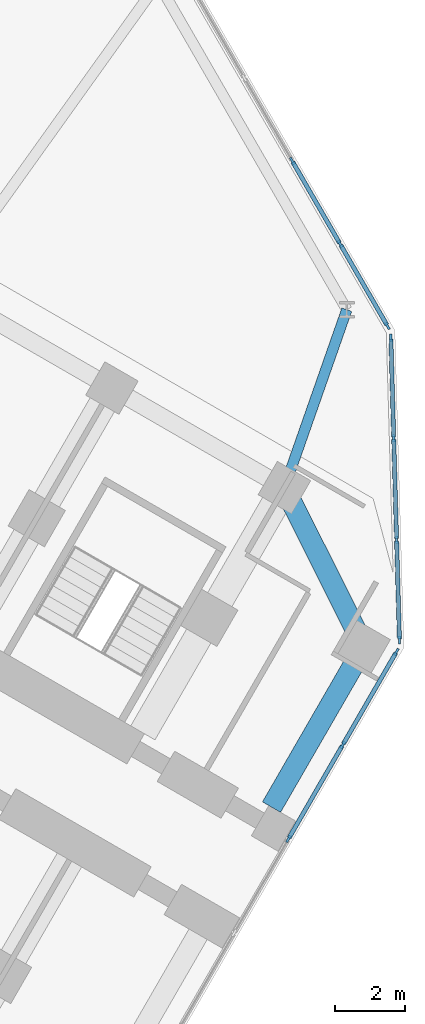
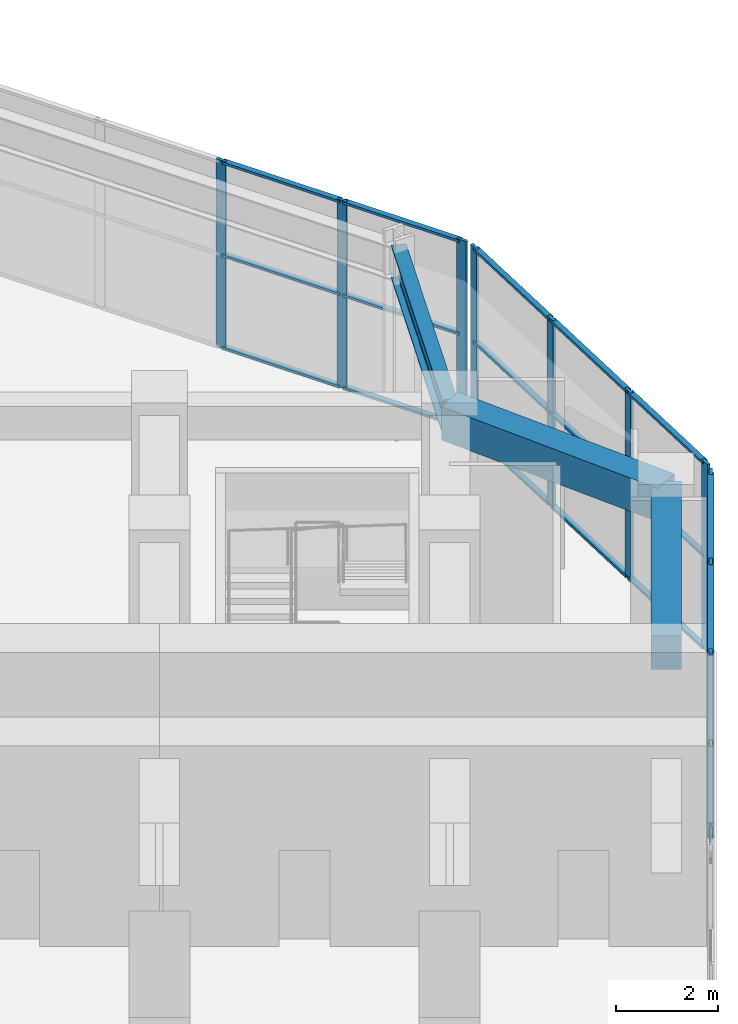
# One storey, part 11 of 22: 31 members, 3 beams, 3 elements without a shape of their own.
"""IFC4 building model written with IfcOpenShell, lengths in metres."""

import ifcopenshell
import ifcopenshell.guid

model = None  # the IFC model being written
_history = None  # IfcOwnerHistory: only IFC2X3 demands one
_inside = {}  # id of a spatial element -> (the spatial element, [elements in it])
_under = {}  # id of a project, library or spatial element -> (it, [spatial elements below it])
_declared = {}  # id of a project -> (the project, [libraries it declares])
_typed = {}  # id of a type object -> (the type object, [elements of that type])
_made_of = {}  # id of a material, layer set ... -> (it, [elements and type objects made of it])


def new_model(schema):
    """Start an empty IFC model of exactly this schema.

    Asked for "IFC4X3", IfcOpenShell would pick the latest addendum, in which some entities
    have other attributes; the version numbers below select the first issue.
    IFC2X3 requires an IfcOwnerHistory on every rooted entity: one is made here for all.
    """
    global model, _history
    if schema == "IFC4X3":
        model = ifcopenshell.file(schema_version=(4, 3, 0, 0))
    else:
        model = ifcopenshell.file(schema=schema)
    _inside.clear()
    _under.clear()
    _declared.clear()
    _typed.clear()
    _made_of.clear()
    _history = None
    if model.schema == "IFC2X3":
        org = make("IfcOrganization", Name="unknown")
        user = make(
            "IfcPersonAndOrganization",
            ThePerson=make("IfcPerson", FamilyName="unknown"),
            TheOrganization=org,
        )
        app = make(
            "IfcApplication",
            ApplicationDeveloper=org,
            Version="unknown",
            ApplicationFullName="unknown",
            ApplicationIdentifier="unknown",
        )
        _history = make(
            "IfcOwnerHistory",
            OwningUser=user,
            OwningApplication=app,
            ChangeAction="ADDED",
            CreationDate=0,
        )
    return model


def make(cls, **values):
    """One entity of the class cls with the attributes given. An attribute that is None is left unset."""
    return model.create_entity(
        cls, **{name: value for name, value in values.items() if value is not None}
    )


def rooted(cls, **values):
    """An entity with a GlobalId (a new one), such as an element, a storey or a relation."""
    return make(cls, GlobalId=ifcopenshell.guid.new(), OwnerHistory=_history, **values)


def si_unit(unit_type, name, prefix=None):
    """IfcSIUnit, for example si_unit("LENGTHUNIT", "METRE", prefix="MILLI")."""
    return make("IfcSIUnit", UnitType=unit_type, Prefix=prefix, Name=name)


def assignment(units):
    """IfcUnitAssignment: the units of a project."""
    return None if units is None else make("IfcUnitAssignment", Units=units)


def point(xyz):
    """IfcCartesianPoint."""
    return None if xyz is None else make("IfcCartesianPoint", Coordinates=xyz)


def direction(xyz):
    """IfcDirection."""
    return None if xyz is None else make("IfcDirection", DirectionRatios=xyz)


def frame(location, z_axis=None, x_axis=None):
    """IfcAxis2Placement3D, a coordinate frame: its origin and axes. An axis left out is left unset."""
    return make(
        "IfcAxis2Placement3D",
        Location=point(location),
        Axis=direction(z_axis),
        RefDirection=direction(x_axis),
    )


def frame_2d(location, x_axis=None):
    """IfcAxis2Placement2D, a coordinate frame in the plane: its origin and x axis."""
    return make(
        "IfcAxis2Placement2D", Location=point(location), RefDirection=direction(x_axis)
    )


def origin():
    """The frame at (0, 0, 0) with its axes left unset."""
    return frame((0.0, 0.0, 0.0))


def origin_2d():
    """The frame at (0, 0) in the plane with its x axis left unset."""
    return frame_2d((0.0, 0.0))


def place(relative_to, where):
    """IfcLocalPlacement: puts the frame where relative to a parent placement (None: the world)."""
    return make(
        "IfcLocalPlacement", PlacementRelTo=relative_to, RelativePlacement=where
    )


def context(
    kind, dimensions, precision=None, world=None, true_north=None, identifier=None
):
    """IfcGeometricRepresentationContext, for example the 3D "Model" context."""
    return make(
        "IfcGeometricRepresentationContext",
        ContextIdentifier=identifier,
        ContextType=kind,
        CoordinateSpaceDimension=dimensions,
        Precision=precision,
        WorldCoordinateSystem=world,
        TrueNorth=true_north,
    )


def subcontext(parent, identifier, kind, view, scale=None):
    """IfcGeometricRepresentationSubContext, for example "Body" below "Model"."""
    return make(
        "IfcGeometricRepresentationSubContext",
        ContextIdentifier=identifier,
        ContextType=kind,
        ParentContext=parent,
        TargetScale=scale,
        TargetView=view,
    )


def project(units=None, contexts=None):
    """IfcProject with its units and contexts."""
    return rooted(
        "IfcProject",
        Name="project",
        RepresentationContexts=contexts,
        UnitsInContext=assignment(units),
    )


def spatial(cls, under=None, at=None, **own):
    """A site, building, storey or space (cls), placed at a placement, below another one or the project."""
    s = rooted(cls, ObjectPlacement=at, **own)
    if under is not None:
        _under.setdefault(under.id(), (under, []))[1].append(s)
    return s


def profile(cls, at=None, kind="AREA", **sizes):
    """A parametric profile (cls). Its sizes go by their IFC names, for example OverallWidth=200.0."""
    return make(cls, ProfileType=kind, Position=at, **sizes)


def rectangle(**sizes):
    """IfcRectangleProfileDef."""
    return profile("IfcRectangleProfileDef", **sizes)


def i_section(**sizes):
    """IfcIShapeProfileDef."""
    return profile("IfcIShapeProfileDef", **sizes)


def extrude(swept, where, along, depth):
    """IfcExtrudedAreaSolid: the profile swept, set in the frame where, extruded along a direction by depth."""
    return make(
        "IfcExtrudedAreaSolid",
        SweptArea=swept,
        Position=where,
        ExtrudedDirection=direction(along),
        Depth=depth,
    )


def shape(context_of_items, identifier, shape_type, items):
    """IfcShapeRepresentation: the items that make up one representation, for example the "Body"."""
    return make(
        "IfcShapeRepresentation",
        ContextOfItems=context_of_items,
        RepresentationIdentifier=identifier,
        RepresentationType=shape_type,
        Items=items,
    )


def material(Name=None, Category=None):
    """IfcMaterial."""
    return make("IfcMaterial", Name=Name, Category=Category)


def material_profile(
    of_material, cross_section, Name=None, Category=None, Priority=None
):
    """IfcMaterialProfile: a cross section and its material."""
    return make(
        "IfcMaterialProfile",
        Name=Name,
        Material=of_material,
        Profile=cross_section,
        Priority=Priority,
        Category=Category,
    )


def profile_set(profiles, Name=None, composite=None):
    """IfcMaterialProfileSet."""
    return make(
        "IfcMaterialProfileSet",
        Name=Name,
        MaterialProfiles=profiles,
        CompositeProfile=composite,
    )


def made_of(thing, what):
    """Note that an element or type object is made of a material, layer set ...; save() writes the relation."""
    if what is not None:
        _made_of.setdefault(what.id(), (what, []))[1].append(thing)
    return thing


def type_object(cls, material=None, **own):
    """A type object (cls), such as IfcWallType, which elements share."""
    return made_of(rooted(cls, **own), material)


def element(
    cls,
    number,
    at=None,
    inside=None,
    cuts=None,
    type_object=None,
    material=None,
    context=None,
    identifier="Body",
    shape_type=None,
    held_by="IfcProductDefinitionShape",
    body=None,
    shapes=None,
    **own,
):
    """One element of the class cls, such as IfcWall. Its Tag is "e" and its number.

    at: its placement. inside: the storey or other place that contains it. cuts: it is an
    opening in that element (IfcRelVoidsElement). A single representation is given by context,
    identifier, shape_type and body (its items); several are given by shapes. held_by: the class
    of the entity that holds the representations. save() writes the other relations.
    """
    e = rooted(cls, Tag="e%d" % number, ObjectPlacement=at, **own)
    if body is not None:
        shapes = [shape(context, identifier, shape_type, body)]
    if shapes is not None:
        e.Representation = make(held_by, Representations=shapes)
    if inside is not None:
        _inside.setdefault(inside.id(), (inside, []))[1].append(e)
    if cuts is not None:
        rooted(
            "IfcRelVoidsElement", RelatingBuildingElement=cuts, RelatedOpeningElement=e
        )
    if type_object is not None:
        _typed.setdefault(type_object.id(), (type_object, []))[1].append(e)
    return made_of(e, material)


def aggregate(whole, parts):
    """IfcRelAggregates: a whole, such as a stair, and the parts it consists of."""
    return rooted("IfcRelAggregates", RelatingObject=whole, RelatedObjects=parts)


def save(model, path):
    """Write the relations noted so far, then the file.

    IfcRelAggregates (storeys below a building ...), IfcRelContainedInSpatialStructure (elements
    in a storey), IfcRelDefinesByType, IfcRelAssociatesMaterial and IfcRelDeclares: one each for
    every whole, place, type object, material and project.
    """
    for whole, parts in _under.values():
        aggregate(whole, parts)
    for where, things in _inside.values():
        rooted(
            "IfcRelContainedInSpatialStructure",
            RelatedElements=things,
            RelatingStructure=where,
        )
    for kind, things in _typed.values():
        rooted("IfcRelDefinesByType", RelatedObjects=things, RelatingType=kind)
    for what, things in _made_of.values():
        rooted("IfcRelAssociatesMaterial", RelatedObjects=things, RelatingMaterial=what)
    for by, libraries in _declared.values():
        rooted("IfcRelDeclares", RelatingContext=by, RelatedDefinitions=libraries)
    model.write(path)


model = new_model("IFC4")

# Units and contexts
model_context = context("Model", 3, precision=1e-05, world=origin(), true_north=direction((0.0, 1.0)))
body_context = subcontext(model_context, "Body", "Model", "MODEL_VIEW")
ifc_project = project(units=[si_unit("LENGTHUNIT", "METRE"), si_unit("AREAUNIT", "SQUARE_METRE"), si_unit("VOLUMEUNIT", "CUBIC_METRE"), si_unit("PLANEANGLEUNIT", "RADIAN"), si_unit("MASSUNIT", "GRAM", prefix="KILO")], contexts=[model_context])

# Site, building, storey
site_placement = place(None, origin())
site = spatial("IfcSite", under=ifc_project, at=site_placement, CompositionType="ELEMENT")
building_placement = place(site_placement, origin())
building = spatial("IfcBuilding", under=site, at=building_placement, Name="Kosmar Iwan School Tower", CompositionType="ELEMENT")
storey_placement = place(building_placement, frame((0.0, 0.0, 10.800048828125)))
storey = spatial("IfcBuildingStorey", under=building, at=storey_placement, Name="L02", CompositionType="ELEMENT", Elevation=10.800048828125)

# Beam
ifc_material_1 = material(Name="Steel S355", Category="steel")
ifc_material_profile_1 = material_profile(ifc_material_1, i_section(OverallWidth=0.300048828125, OverallDepth=0.800048828125, WebThickness=0.017578125, FlangeThickness=0.032958984375, FilletRadius=0.030029296875, at=origin_2d()), Name="HE 800 B")
ifc_profile_set_1 = profile_set([ifc_material_profile_1], Name="Steel S355")
beam_type_1 = type_object("IfcBeamType", Name="Infill edge beam HE 800 B", PredefinedType="BEAM", material=ifc_profile_set_1)
beam_1_placement = place(storey_placement, frame((32.30224609375, -0.749267578125, 4.099853515625), z_axis=(-0.330701081571, -0.943735553345, 0.0), x_axis=(0.943735553345, -0.330701081571, 0.0)))
element("IfcBeam", 1, at=beam_1_placement, inside=storey, type_object=beam_type_1, Name="Infill edge beam AC5", PredefinedType="BEAM", context=body_context, shape_type="SweptSolid", body=[
    extrude(i_section(OverallWidth=0.300048828125, OverallDepth=0.800048828125, WebThickness=0.017578125, FlangeThickness=0.032958984375, FilletRadius=0.030029296875, at=origin_2d()), origin(), (0.0, 0.0, 1.0), 5.39599609375),
])

# Curtain wall, members
ifc_material_2 = material(Name="Dark glass in black aluminium frame", Category="aluminium")
curtain_wall_type_1 = type_object("IfcCurtainWallType", Name="Tower curtain wall dark glass", PredefinedType="USERDEFINED", material=ifc_material_2)
curtain_wall_1_placement = place(storey_placement, origin())
curtain_wall_1 = element("IfcCurtainWall", 2, at=curtain_wall_1_placement, inside=storey, type_object=curtain_wall_type_1, Name="Curtain wall L02-F02", ObjectType="UNITISED CURTAIN WALL", PredefinedType="USERDEFINED")
ifc_material_3 = material(Name="Black anodised aluminium", Category="aluminium")
ifc_material_profile_2 = material_profile(ifc_material_3, rectangle(XDim=0.06494140625, YDim=0.219970703125, at=origin_2d()), Name="MULLION 65x220")
ifc_profile_set_2 = profile_set([ifc_material_profile_2], Name="Black anodised aluminium")
member_type_1 = type_object("IfcMemberType", Name="Podium mullion 65x220", PredefinedType="MULLION", material=ifc_profile_set_2)
member_1_placement = place(storey_placement, frame((30.632568359375, -15.892578125, 0.0), z_axis=(0.0, 0.0, 1.0), x_axis=(-0.866025395669, 0.500000014057, 0.0)))
member_1 = element("IfcMember", 3, at=member_1_placement, type_object=member_type_1, Name="CW1 mullion 4", PredefinedType="MULLION", context=body_context, shape_type="SweptSolid", body=[
    extrude(rectangle(XDim=0.06494140625, YDim=0.219970703125, at=origin_2d()), origin(), (0.0, 0.0, 1.0), 4.5),
])
member_2_placement = place(storey_placement, frame((32.185546875, -13.202880859375, 0.0), z_axis=(0.0, 0.0, 1.0), x_axis=(-0.866025395669, 0.500000014057, 0.0)))
member_2 = element("IfcMember", 4, at=member_2_placement, type_object=member_type_1, Name="CW1 mullion 5", PredefinedType="MULLION", context=body_context, shape_type="SweptSolid", body=[
    extrude(rectangle(XDim=0.06494140625, YDim=0.219970703125, at=origin_2d()), origin(), (0.0, 0.0, 1.0), 4.5),
])
member_3_placement = place(storey_placement, frame((33.72216796875, -10.541259765625, 0.0), z_axis=(0.0, 0.0, 1.0), x_axis=(-0.866025395669, 0.500000014057, 0.0)))
member_3 = element("IfcMember", 5, at=member_3_placement, type_object=member_type_1, Name="CW1 mullion 6", PredefinedType="MULLION", context=body_context, shape_type="SweptSolid", body=[
    extrude(rectangle(XDim=0.06494140625, YDim=0.219970703125, at=origin_2d()), origin(), (0.0, 0.0, 1.0), 4.5),
])

ifc_material_4 = material(Name="Dark glass in black aluminium frame", Category="aluminium")
curtain_wall_type_2 = type_object("IfcCurtainWallType", Name="Podium curtain wall", PredefinedType="USERDEFINED", material=ifc_material_4)
curtain_wall_2_placement = place(storey_placement, origin())
curtain_wall_2 = element("IfcCurtainWall", 6, at=curtain_wall_2_placement, inside=storey, type_object=curtain_wall_type_2, Name="Curtain wall L02-F03", ObjectType="STICK CURTAIN WALL", PredefinedType="USERDEFINED")
member_4_placement = place(storey_placement, frame((33.808349609375, -10.200927734375, 0.0), z_axis=(0.0, 0.0, 1.0), x_axis=(-0.999597032017, -0.028386151255, 0.0)))
member_4 = element("IfcMember", 7, at=member_4_placement, type_object=member_type_1, Name="CW3 mullion 1", PredefinedType="MULLION", context=body_context, shape_type="SweptSolid", body=[
    extrude(rectangle(XDim=0.06494140625, YDim=0.219970703125, at=origin_2d()), origin(), (0.0, 0.0, 1.0), 4.5),
])
member_5_placement = place(storey_placement, frame((33.726806640625, -7.330078125, 0.0), z_axis=(0.0, 0.0, 1.0), x_axis=(-0.999597032017, -0.028386151255, 0.0)))
member_5 = element("IfcMember", 8, at=member_5_placement, type_object=member_type_1, Name="CW3 mullion 2", PredefinedType="MULLION", context=body_context, shape_type="SweptSolid", body=[
    extrude(rectangle(XDim=0.06494140625, YDim=0.219970703125, at=origin_2d()), origin(), (0.0, 0.0, 1.0), 4.5),
])
member_6_placement = place(storey_placement, frame((33.644287109375, -4.4267578125, 0.0), z_axis=(0.0, 0.0, 1.0), x_axis=(-0.999597032017, -0.028386151255, 0.0)))
member_6 = element("IfcMember", 9, at=member_6_placement, type_object=member_type_1, Name="CW3 mullion 3", PredefinedType="MULLION", context=body_context, shape_type="SweptSolid", body=[
    extrude(rectangle(XDim=0.06494140625, YDim=0.219970703125, at=origin_2d()), origin(), (0.0, 0.0, 1.0), 4.5),
])
member_7_placement = place(storey_placement, frame((33.562744140625, -1.555908203125, 0.0), z_axis=(0.0, 0.0, 1.0), x_axis=(-0.999597032017, -0.028386151255, 0.0)))
member_7 = element("IfcMember", 10, at=member_7_placement, type_object=member_type_1, Name="CW3 mullion 4", PredefinedType="MULLION", context=body_context, shape_type="SweptSolid", body=[
    extrude(rectangle(XDim=0.06494140625, YDim=0.219970703125, at=origin_2d()), origin(), (0.0, 0.0, 1.0), 4.5),
])

curtain_wall_3_placement = place(storey_placement, origin())
curtain_wall_3 = element("IfcCurtainWall", 11, at=curtain_wall_3_placement, inside=storey, type_object=curtain_wall_type_2, Name="Curtain wall L02-F04", ObjectType="STICK CURTAIN WALL", PredefinedType="USERDEFINED")
member_8_placement = place(storey_placement, frame((33.46630859375, -1.215576171875, 0.0), z_axis=(0.0, 0.0, 1.0), x_axis=(-0.866025390869, -0.50000002237, 0.0)))
member_8 = element("IfcMember", 12, at=member_8_placement, type_object=member_type_1, Name="CW3 mullion 1", PredefinedType="MULLION", context=body_context, shape_type="SweptSolid", body=[
    extrude(rectangle(XDim=0.06494140625, YDim=0.219970703125, at=origin_2d()), origin(), (0.0, 0.0, 1.0), 4.5),
])
member_9_placement = place(storey_placement, frame((32.112060546875, 1.13037109375, 0.0), z_axis=(0.0, 0.0, 1.0), x_axis=(-0.866025390869, -0.50000002237, 0.0)))
member_9 = element("IfcMember", 13, at=member_9_placement, type_object=member_type_1, Name="CW3 mullion 2", PredefinedType="MULLION", context=body_context, shape_type="SweptSolid", body=[
    extrude(rectangle(XDim=0.06494140625, YDim=0.219970703125, at=origin_2d()), origin(), (0.0, 0.0, 1.0), 4.5),
])
member_10_placement = place(storey_placement, frame((30.741455078125, 3.50439453125, 0.0), z_axis=(0.0, 0.0, 1.0), x_axis=(-0.866025390869, -0.50000002237, 0.0)))
member_10 = element("IfcMember", 14, at=member_10_placement, type_object=member_type_1, Name="CW3 mullion 3", PredefinedType="MULLION", context=body_context, shape_type="SweptSolid", body=[
    extrude(rectangle(XDim=0.06494140625, YDim=0.219970703125, at=origin_2d()), origin(), (0.0, 0.0, 1.0), 4.5),
])

# Beams
ifc_material_5 = material(Name="Concrete C50/60", Category="concrete")
ifc_material_profile_3 = material_profile(ifc_material_5, rectangle(XDim=0.60009765625, YDim=0.800048828125, at=origin_2d()), Name="RC 600x800")
ifc_profile_set_3 = profile_set([ifc_material_profile_3], Name="Concrete C50/60")
beam_type_2 = type_object("IfcBeamType", Name="RC tip beam 600x800", PredefinedType="BEAM", material=ifc_profile_set_3)
beam_2_placement = place(storey_placement, frame((30.517822265625, -5.841552734375, 4.099853515625), z_axis=(0.44809604203, -0.893985423325, 0.0), x_axis=(0.893985423325, 0.44809604203, 0.0)))
element("IfcBeam", 15, at=beam_2_placement, inside=storey, type_object=beam_type_2, Name="Tip beam CL", PredefinedType="BEAM", context=body_context, shape_type="SweptSolid", body=[
    extrude(rectangle(XDim=0.60009765625, YDim=0.800048828125, at=origin_2d()), origin(), (0.0, 0.0, 1.0), 5.08935546875),
])
beam_3_placement = place(storey_placement, frame((32.79833984375, -10.391357421875, 4.099853515625), z_axis=(-0.499973660256, -0.866040610509, 0.0), x_axis=(0.866040610509, -0.499973660256, 0.0)))
element("IfcBeam", 16, at=beam_3_placement, inside=storey, type_object=beam_type_2, Name="Tip beam CL to corridor wall", PredefinedType="BEAM", context=body_context, shape_type="SweptSolid", body=[
    extrude(rectangle(XDim=0.60009765625, YDim=0.800048828125, at=origin_2d()), origin(), (0.0, 0.0, 1.0), 5.300048828125),
])

# Member
ifc_material_6 = material(Name="Black anodised aluminium", Category="aluminium")
ifc_material_profile_4 = material_profile(ifc_material_6, rectangle(XDim=0.1201171875, YDim=0.06005859375, at=origin_2d()), Name="TRANSOM 60x120")
ifc_profile_set_4 = profile_set([ifc_material_profile_4], Name="Black anodised aluminium")
member_type_2 = type_object("IfcMemberType", Name="Transom 60x120", PredefinedType="USERDEFINED", material=ifc_profile_set_4)
member_11_placement = place(storey_placement, frame((30.64892578125, -15.864501953125, 0.030029296875), z_axis=(0.50000738486, 0.866021140091, 0.0), x_axis=(-0.866021140091, 0.50000738486, 0.0)))
member_11 = element("IfcMember", 17, at=member_11_placement, type_object=member_type_2, Name="CW1 transom 4.1", ObjectType="TRANSOM", PredefinedType="USERDEFINED", context=body_context, shape_type="SweptSolid", body=[
    extrude(rectangle(XDim=0.1201171875, YDim=0.06005859375, at=origin_2d()), origin(), (0.0, 0.0, 1.0), 3.041015625),
])

member_12_placement = place(storey_placement, frame((30.64892578125, -15.864501953125, 2.25), z_axis=(0.50000738486, 0.866021140091, 0.0), x_axis=(-0.866021140091, 0.50000738486, 0.0)))
member_12 = element("IfcMember", 18, at=member_12_placement, type_object=member_type_2, Name="CW1 transom 4.2", ObjectType="TRANSOM", PredefinedType="USERDEFINED", context=body_context, shape_type="SweptSolid", body=[
    extrude(rectangle(XDim=0.1201171875, YDim=0.06005859375, at=origin_2d()), origin(), (0.0, 0.0, 1.0), 3.041015625),
])

member_13_placement = place(storey_placement, frame((30.64892578125, -15.864501953125, 4.469970703125), z_axis=(0.50000738486, 0.866021140091, 0.0), x_axis=(-0.866021140091, 0.50000738486, 0.0)))
member_13 = element("IfcMember", 19, at=member_13_placement, type_object=member_type_2, Name="CW1 transom 4.3", ObjectType="TRANSOM", PredefinedType="USERDEFINED", context=body_context, shape_type="SweptSolid", body=[
    extrude(rectangle(XDim=0.1201171875, YDim=0.06005859375, at=origin_2d()), origin(), (0.0, 0.0, 1.0), 3.041015625),
])

member_14_placement = place(storey_placement, frame((32.201904296875, -13.1748046875, 0.030029296875), z_axis=(0.499970659234, 0.866042343021, 0.0), x_axis=(-0.866042343021, 0.499970659234, 0.0)))
member_14 = element("IfcMember", 20, at=member_14_placement, type_object=member_type_2, Name="CW1 transom 5.1", ObjectType="TRANSOM", PredefinedType="USERDEFINED", context=body_context, shape_type="SweptSolid", body=[
    extrude(rectangle(XDim=0.1201171875, YDim=0.06005859375, at=origin_2d()), origin(), (0.0, 0.0, 1.0), 3.008544921875),
])

member_15_placement = place(storey_placement, frame((32.201904296875, -13.1748046875, 2.25), z_axis=(0.499970659234, 0.866042343021, 0.0), x_axis=(-0.866042343021, 0.499970659234, 0.0)))
member_15 = element("IfcMember", 21, at=member_15_placement, type_object=member_type_2, Name="CW1 transom 5.2", ObjectType="TRANSOM", PredefinedType="USERDEFINED", context=body_context, shape_type="SweptSolid", body=[
    extrude(rectangle(XDim=0.1201171875, YDim=0.06005859375, at=origin_2d()), origin(), (0.0, 0.0, 1.0), 3.008544921875),
])

member_16_placement = place(storey_placement, frame((32.201904296875, -13.1748046875, 4.469970703125), z_axis=(0.499970659234, 0.866042343021, 0.0), x_axis=(-0.866042343021, 0.499970659234, 0.0)))
member_16 = element("IfcMember", 22, at=member_16_placement, type_object=member_type_2, Name="CW1 transom 5.3", ObjectType="TRANSOM", PredefinedType="USERDEFINED", context=body_context, shape_type="SweptSolid", body=[
    extrude(rectangle(XDim=0.1201171875, YDim=0.06005859375, at=origin_2d()), origin(), (0.0, 0.0, 1.0), 3.008544921875),
])

aggregate(curtain_wall_1, [member_1, member_2, member_3, member_11, member_12, member_13, member_14, member_15, member_16])

member_17_placement = place(storey_placement, frame((33.807373046875, -10.16845703125, 0.030029296875), z_axis=(-0.028353687706, 0.999597953376, 0.0), x_axis=(-0.999597953376, -0.028353687706, 0.0)))
member_17 = element("IfcMember", 23, at=member_17_placement, type_object=member_type_2, Name="CW3 transom 1.1", ObjectType="TRANSOM", PredefinedType="USERDEFINED", context=body_context, shape_type="SweptSolid", body=[
    extrude(rectangle(XDim=0.1201171875, YDim=0.06005859375, at=origin_2d()), origin(), (0.0, 0.0, 1.0), 2.80712890625),
])

member_18_placement = place(storey_placement, frame((33.807373046875, -10.16845703125, 2.25), z_axis=(-0.028353687706, 0.999597953376, 0.0), x_axis=(-0.999597953376, -0.028353687706, 0.0)))
member_18 = element("IfcMember", 24, at=member_18_placement, type_object=member_type_2, Name="CW3 transom 1.2", ObjectType="TRANSOM", PredefinedType="USERDEFINED", context=body_context, shape_type="SweptSolid", body=[
    extrude(rectangle(XDim=0.1201171875, YDim=0.06005859375, at=origin_2d()), origin(), (0.0, 0.0, 1.0), 2.80712890625),
])

member_19_placement = place(storey_placement, frame((33.807373046875, -10.16845703125, 4.469970703125), z_axis=(-0.028353687706, 0.999597953376, 0.0), x_axis=(-0.999597953376, -0.028353687706, 0.0)))
member_19 = element("IfcMember", 25, at=member_19_placement, type_object=member_type_2, Name="CW3 transom 1.3", ObjectType="TRANSOM", PredefinedType="USERDEFINED", context=body_context, shape_type="SweptSolid", body=[
    extrude(rectangle(XDim=0.1201171875, YDim=0.06005859375, at=origin_2d()), origin(), (0.0, 0.0, 1.0), 2.80712890625),
])

member_20_placement = place(storey_placement, frame((33.725830078125, -7.297607421875, 0.030029296875), z_axis=(-0.028373227391, 0.99959739894, 0.0), x_axis=(-0.99959739894, -0.028373227391, 0.0)))
member_20 = element("IfcMember", 26, at=member_20_placement, type_object=member_type_2, Name="CW3 transom 2.1", ObjectType="TRANSOM", PredefinedType="USERDEFINED", context=body_context, shape_type="SweptSolid", body=[
    extrude(rectangle(XDim=0.1201171875, YDim=0.06005859375, at=origin_2d()), origin(), (0.0, 0.0, 1.0), 2.839599609375),
])

member_21_placement = place(storey_placement, frame((33.725830078125, -7.297607421875, 2.25), z_axis=(-0.028373227391, 0.99959739894, 0.0), x_axis=(-0.99959739894, -0.028373227391, 0.0)))
member_21 = element("IfcMember", 27, at=member_21_placement, type_object=member_type_2, Name="CW3 transom 2.2", ObjectType="TRANSOM", PredefinedType="USERDEFINED", context=body_context, shape_type="SweptSolid", body=[
    extrude(rectangle(XDim=0.1201171875, YDim=0.06005859375, at=origin_2d()), origin(), (0.0, 0.0, 1.0), 2.839599609375),
])

member_22_placement = place(storey_placement, frame((33.725830078125, -7.297607421875, 4.469970703125), z_axis=(-0.028373227391, 0.99959739894, 0.0), x_axis=(-0.99959739894, -0.028373227391, 0.0)))
member_22 = element("IfcMember", 28, at=member_22_placement, type_object=member_type_2, Name="CW3 transom 2.3", ObjectType="TRANSOM", PredefinedType="USERDEFINED", context=body_context, shape_type="SweptSolid", body=[
    extrude(rectangle(XDim=0.1201171875, YDim=0.06005859375, at=origin_2d()), origin(), (0.0, 0.0, 1.0), 2.839599609375),
])

member_23_placement = place(storey_placement, frame((33.6435546875, -4.394287109375, 0.030029296875), z_axis=(-0.028443064779, 0.999595414188, 0.0), x_axis=(-0.999595414188, -0.028443064779, 0.0)))
member_23 = element("IfcMember", 29, at=member_23_placement, type_object=member_type_2, Name="CW3 transom 3.1", ObjectType="TRANSOM", PredefinedType="USERDEFINED", context=body_context, shape_type="SweptSolid", body=[
    extrude(rectangle(XDim=0.1201171875, YDim=0.06005859375, at=origin_2d()), origin(), (0.0, 0.0, 1.0), 2.806884765625),
])

member_24_placement = place(storey_placement, frame((33.6435546875, -4.394287109375, 2.25), z_axis=(-0.028443064779, 0.999595414188, 0.0), x_axis=(-0.999595414188, -0.028443064779, 0.0)))
member_24 = element("IfcMember", 30, at=member_24_placement, type_object=member_type_2, Name="CW3 transom 3.2", ObjectType="TRANSOM", PredefinedType="USERDEFINED", context=body_context, shape_type="SweptSolid", body=[
    extrude(rectangle(XDim=0.1201171875, YDim=0.06005859375, at=origin_2d()), origin(), (0.0, 0.0, 1.0), 2.806884765625),
])

member_25_placement = place(storey_placement, frame((33.6435546875, -4.394287109375, 4.469970703125), z_axis=(-0.028443064779, 0.999595414188, 0.0), x_axis=(-0.999595414188, -0.028443064779, 0.0)))
member_25 = element("IfcMember", 31, at=member_25_placement, type_object=member_type_2, Name="CW3 transom 3.3", ObjectType="TRANSOM", PredefinedType="USERDEFINED", context=body_context, shape_type="SweptSolid", body=[
    extrude(rectangle(XDim=0.1201171875, YDim=0.06005859375, at=origin_2d()), origin(), (0.0, 0.0, 1.0), 2.806884765625),
])

aggregate(curtain_wall_2, [member_4, member_5, member_6, member_7, member_17, member_18, member_19, member_20, member_21, member_22, member_23, member_24, member_25])

member_26_placement = place(storey_placement, frame((33.4501953125, -1.1875, 0.030029296875), z_axis=(-0.500002203974, 0.866024131316, 0.0), x_axis=(-0.866024131316, -0.500002203974, 0.0)))
member_26 = element("IfcMember", 32, at=member_26_placement, type_object=member_type_2, Name="CW3 transom 1.1", ObjectType="TRANSOM", PredefinedType="USERDEFINED", context=body_context, shape_type="SweptSolid", body=[
    extrude(rectangle(XDim=0.1201171875, YDim=0.06005859375, at=origin_2d()), origin(), (0.0, 0.0, 1.0), 2.64404296875),
])

member_27_placement = place(storey_placement, frame((33.4501953125, -1.1875, 2.25), z_axis=(-0.500002203974, 0.866024131316, 0.0), x_axis=(-0.866024131316, -0.500002203974, 0.0)))
member_27 = element("IfcMember", 33, at=member_27_placement, type_object=member_type_2, Name="CW3 transom 1.2", ObjectType="TRANSOM", PredefinedType="USERDEFINED", context=body_context, shape_type="SweptSolid", body=[
    extrude(rectangle(XDim=0.1201171875, YDim=0.06005859375, at=origin_2d()), origin(), (0.0, 0.0, 1.0), 2.64404296875),
])

member_28_placement = place(storey_placement, frame((33.4501953125, -1.1875, 4.469970703125), z_axis=(-0.500002203974, 0.866024131316, 0.0), x_axis=(-0.866024131316, -0.500002203974, 0.0)))
member_28 = element("IfcMember", 34, at=member_28_placement, type_object=member_type_2, Name="CW3 transom 1.3", ObjectType="TRANSOM", PredefinedType="USERDEFINED", context=body_context, shape_type="SweptSolid", body=[
    extrude(rectangle(XDim=0.1201171875, YDim=0.06005859375, at=origin_2d()), origin(), (0.0, 0.0, 1.0), 2.64404296875),
])

member_29_placement = place(storey_placement, frame((32.095703125, 1.158447265625, 0.030029296875), z_axis=(-0.499975134057, 0.866039759667, 0.0), x_axis=(-0.866039759667, -0.499975134057, 0.0)))
member_29 = element("IfcMember", 35, at=member_29_placement, type_object=member_type_2, Name="CW3 transom 2.1", ObjectType="TRANSOM", PredefinedType="USERDEFINED", context=body_context, shape_type="SweptSolid", body=[
    extrude(rectangle(XDim=0.1201171875, YDim=0.06005859375, at=origin_2d()), origin(), (0.0, 0.0, 1.0), 2.676513671875),
])

member_30_placement = place(storey_placement, frame((32.095703125, 1.158447265625, 2.25), z_axis=(-0.499975134057, 0.866039759667, 0.0), x_axis=(-0.866039759667, -0.499975134057, 0.0)))
member_30 = element("IfcMember", 36, at=member_30_placement, type_object=member_type_2, Name="CW3 transom 2.2", ObjectType="TRANSOM", PredefinedType="USERDEFINED", context=body_context, shape_type="SweptSolid", body=[
    extrude(rectangle(XDim=0.1201171875, YDim=0.06005859375, at=origin_2d()), origin(), (0.0, 0.0, 1.0), 2.676513671875),
])

member_31_placement = place(storey_placement, frame((32.095703125, 1.158447265625, 4.469970703125), z_axis=(-0.499975134057, 0.866039759667, 0.0), x_axis=(-0.866039759667, -0.499975134057, 0.0)))
member_31 = element("IfcMember", 37, at=member_31_placement, type_object=member_type_2, Name="CW3 transom 2.3", ObjectType="TRANSOM", PredefinedType="USERDEFINED", context=body_context, shape_type="SweptSolid", body=[
    extrude(rectangle(XDim=0.1201171875, YDim=0.06005859375, at=origin_2d()), origin(), (0.0, 0.0, 1.0), 2.676513671875),
])

aggregate(curtain_wall_3, [member_8, member_9, member_10, member_26, member_27, member_28, member_29, member_30, member_31])

save(model, "model.ifc")
